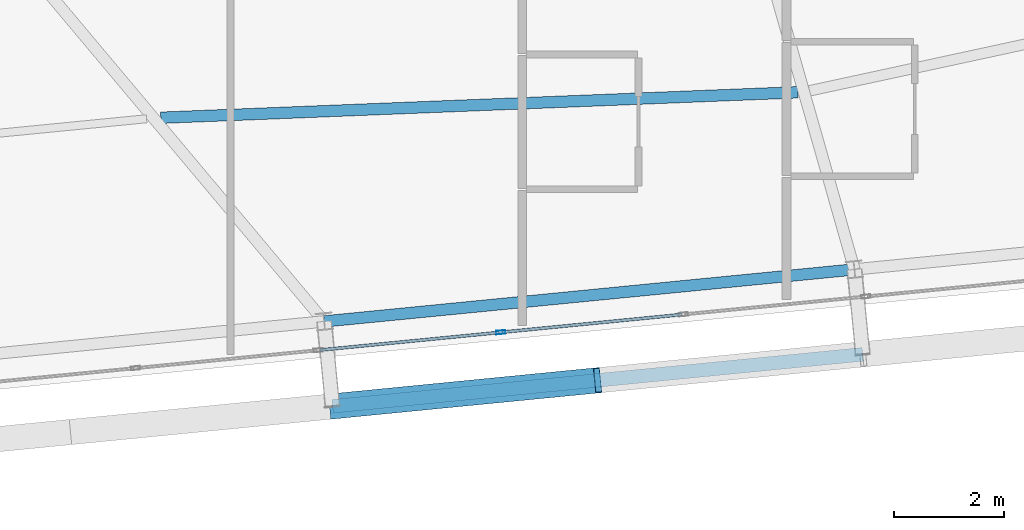
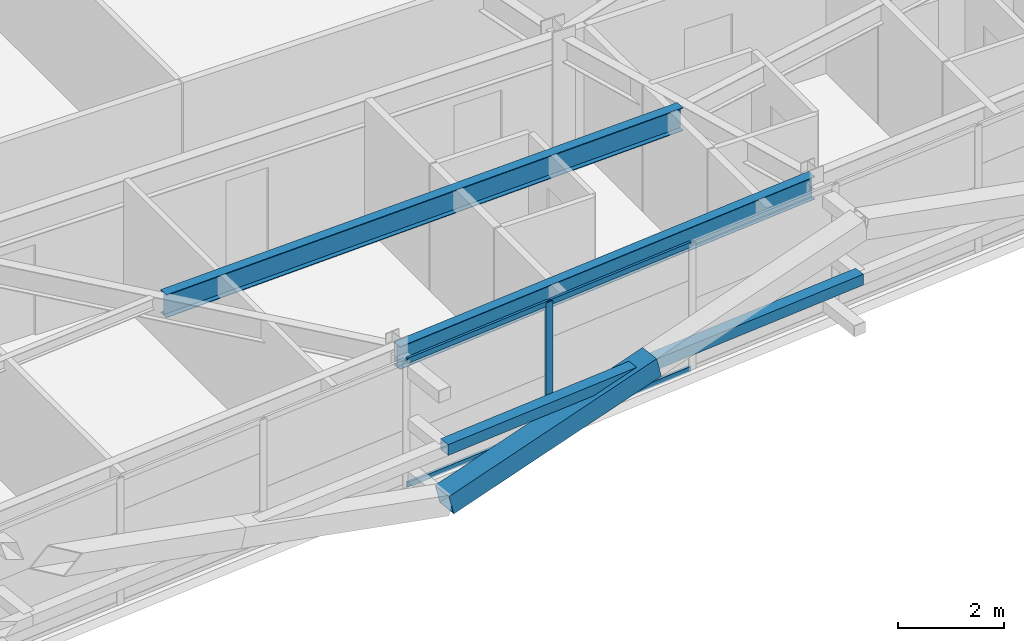
# One storey, part 11 of 53: 7 members, 2 beams, 1 element without a shape of its own.
"""IFC4 building model written with IfcOpenShell, lengths in metres."""

from ifc_helpers import new_model, si_unit, direction, frame, origin, origin_2d, place, context, subcontext, project, spatial, hollow_rectangle, i_section, extrude, source, transform, mapped, material, layer, layer_set, material_profile, profile_set, type_object, element, aggregate, save


model = new_model("IFC4")

# Units and contexts
model_context = context("Model", 3, precision=1e-05, world=origin(), true_north=direction((0.0, 1.0)))
body_context = subcontext(model_context, "Body", "Model", "MODEL_VIEW")
ifc_project = project(units=[si_unit("LENGTHUNIT", "METRE"), si_unit("AREAUNIT", "SQUARE_METRE"), si_unit("VOLUMEUNIT", "CUBIC_METRE"), si_unit("PLANEANGLEUNIT", "RADIAN"), si_unit("MASSUNIT", "GRAM", prefix="KILO")], contexts=[model_context])

# Site, building, storey
site_placement = place(None, origin())
site = spatial("IfcSite", under=ifc_project, at=site_placement, CompositionType="ELEMENT")
building_placement = place(site_placement, origin())
building = spatial("IfcBuilding", under=site, at=building_placement, Name="Taldren Reach Tower", CompositionType="ELEMENT")
storey_placement = place(building_placement, frame((0.0, 0.0, 68.25)))
storey = spatial("IfcBuildingStorey", under=building, at=storey_placement, Name="L20", CompositionType="ELEMENT", Elevation=68.25)

# Beams
ifc_material_1 = material(Name="Steel Gr 350 (350PLUS)", Category="steel")
ifc_material_profile_1 = material_profile(ifc_material_1, i_section(OverallWidth=0.208984375, OverallDepth=0.528076171875, WebThickness=0.009521484375, FlangeThickness=0.01318359375, at=origin_2d()), Name="530UB82.0")
ifc_profile_set_1 = profile_set([ifc_material_profile_1], Name="Steel Gr 350 (350PLUS)")
beam_type_1 = type_object("IfcBeamType", Name="SP-UB530B", PredefinedType="SPANDREL", material=ifc_profile_set_1)
shared_shape_1 = source(origin(), body_context, "Body", "SweptSolid", [
    extrude(i_section(OverallWidth=0.208984375, OverallDepth=0.528076171875, WebThickness=0.009521484375, FlangeThickness=0.01318359375, at=origin_2d()), origin(), (0.0, 0.0, 1.0), 9.679931640625),
])
beam_1_placement = place(storey_placement, frame((34.20166015625, 1.809326171875, 2.666015625), z_axis=(0.995227612658, 0.097580730699, 0.0), x_axis=(-0.097580730699, 0.995227612658, 0.0)))
element("IfcBeam", 1, at=beam_1_placement, inside=storey, type_object=beam_type_1, Name="Perimeter spandrel B2 S3-S4 L20", PredefinedType="SPANDREL", context=body_context, shape_type="MappedRepresentation", body=[
    mapped(shared_shape_1, transform((0.0, 0.0, 0.0), scale=1.0)),
])
ifc_material_profile_2 = material_profile(ifc_material_1, i_section(OverallWidth=0.208984375, OverallDepth=0.532958984375, WebThickness=0.01025390625, FlangeThickness=0.015625, at=origin_2d()), Name="530UB92.4")
ifc_profile_set_2 = profile_set([ifc_material_profile_2], Name="Steel Gr 350 (350PLUS)")
beam_type_2 = type_object("IfcBeamType", Name="BM-UB530A", PredefinedType="BEAM", material=ifc_profile_set_2)
shared_shape_2 = source(origin(), body_context, "Body", "SweptSolid", [
    extrude(i_section(OverallWidth=0.208984375, OverallDepth=0.532958984375, WebThickness=0.01025390625, FlangeThickness=0.015625, at=origin_2d()), origin(), (0.0, 0.0, 1.0), 11.586669921875),
])
beam_2_placement = place(storey_placement, frame((31.23291015625, 5.510009765625, 2.66357421875), z_axis=(0.999202506312, 0.039929329821, 0.0), x_axis=(-0.039929329821, 0.999202506312, 0.0)))
element("IfcBeam", 2, at=beam_2_placement, inside=storey, type_object=beam_type_2, Name="Secondary floor beam B2 J3 L20", PredefinedType="BEAM", context=body_context, shape_type="MappedRepresentation", body=[
    mapped(shared_shape_2, transform((0.0, 0.0, 0.0), scale=1.0)),
])

# Members
ifc_material_2 = material(Name="Steel Gr 450 (C450L0)", Category="steel")
ifc_material_profile_3 = material_profile(ifc_material_2, hollow_rectangle(XDim=0.4599609375, YDim=0.4599609375, WallThickness=0.01611328125, at=origin_2d()), Name="460x460x16.0SHS")
ifc_profile_set_3 = profile_set([ifc_material_profile_3], Name="Steel Gr 450 (C450L0)")
member_type_1 = type_object("IfcMemberType", Name="MB-EXO457", PredefinedType="BRACE", material=ifc_profile_set_3)
shared_shape_3 = source(origin(), body_context, "Body", "SweptSolid", [
    extrude(hollow_rectangle(XDim=0.4599609375, YDim=0.4599609375, WallThickness=0.01611328125, at=origin_2d()), origin(), (0.0, 0.0, 1.0), 4.990234375),
])
member_1_placement = place(storey_placement, frame((34.35302734375, 0.2666015625, 0.219970703125), z_axis=(0.965271056716, 0.094667992638, 0.243494883389), x_axis=(-0.097605711627, 0.995225162995, 0.0)))
element("IfcMember", 3, at=member_1_placement, inside=storey, type_object=member_type_1, Name="Exoskeleton Diagrid Brace B2-S3 L20", PredefinedType="BRACE", context=body_context, shape_type="MappedRepresentation", body=[
    mapped(shared_shape_3, transform((0.0, 0.0, 0.0), scale=1.0)),
])
ifc_material_3 = material(Name="Steel Gr 350 (C350L0)", Category="steel")
ifc_material_profile_4 = material_profile(ifc_material_3, hollow_rectangle(XDim=0.25, YDim=0.25, WallThickness=0.010009765625, at=origin_2d()), Name="250x250x10.0SHS")
ifc_profile_set_4 = profile_set([ifc_material_profile_4], Name="Steel Gr 350 (C350L0)")
member_type_2 = type_object("IfcMemberType", Name="MB-POST250", PredefinedType="POST", material=ifc_profile_set_4)
shared_shape_4 = source(origin(), body_context, "Body", "SweptSolid", [
    extrude(hollow_rectangle(XDim=0.25, YDim=0.25, WallThickness=0.010009765625, at=origin_2d()), origin(), (0.0, 0.0, 1.0), 9.679931640625),
])
member_2_placement = place(storey_placement, frame((34.35302734375, 0.2666015625, 1.43505859375), z_axis=(0.995225162995, 0.097605711627, 0.0), x_axis=(-0.097605711627, 0.995225162995, 0.0)))
element("IfcMember", 4, at=member_2_placement, inside=storey, type_object=member_type_2, Name="Exoskeleton mid-height ring chord B2-S3 L20", PredefinedType="POST", context=body_context, shape_type="MappedRepresentation", body=[
    mapped(shared_shape_4, transform((0.0, 0.0, 0.0), scale=1.0)),
])

# Curtain wall, members
ifc_material_4 = material(Name="Aluminium and Low-E Glass Unitised System", Category="aluminium")
ifc_layer = layer(ifc_material_4, 0.159912109375)
ifc_layer_set = layer_set([ifc_layer], Name="Aluminium and Low-E Glass Unitised System")
curtain_wall_type = type_object("IfcCurtainWallType", Name="CW-SYS-3", PredefinedType="NOTDEFINED", material=ifc_layer_set)
curtain_wall_placement = place(storey_placement, origin())
curtain_wall = element("IfcCurtainWall", 5, at=curtain_wall_placement, inside=storey, type_object=curtain_wall_type, Name="Unitised curtain wall CW-L20-S", PredefinedType="NOTDEFINED")
ifc_material_5 = material(Name="Anodised Aluminium 6063-T6", Category="aluminium")
ifc_material_profile_5 = material_profile(ifc_material_5, hollow_rectangle(XDim=0.06494140625, YDim=0.1650390625, WallThickness=0.00390625, at=origin_2d()), Name="ALU-165x65x4RHS")
ifc_profile_set_5 = profile_set([ifc_material_profile_5], Name="Anodised Aluminium 6063-T6")
member_type_3 = type_object("IfcMemberType", Name="CW-MUL-165", PredefinedType="MULLION", material=ifc_profile_set_5)
shared_shape_5 = source(origin(), body_context, "Body", "SweptSolid", [
    extrude(hollow_rectangle(XDim=0.06494140625, YDim=0.1650390625, WallThickness=0.00390625, at=origin_2d()), origin(), (0.0, 0.0, 1.0), 2.929931640625),
])
member_3_placement = place(storey_placement, frame((37.40966796875, 1.611328125, 0.0), z_axis=(0.0, 0.0, 1.0), x_axis=(-0.097582999046, 0.995227390247, 0.0)))
member_3 = element("IfcMember", 6, at=member_3_placement, type_object=member_type_3, Name="CW-3 mullion 8", PredefinedType="MULLION", context=body_context, shape_type="MappedRepresentation", body=[
    mapped(shared_shape_5, transform((0.0, 0.0, 0.0), scale=1.0)),
])
ifc_material_profile_6 = material_profile(ifc_material_5, hollow_rectangle(XDim=0.054931640625, YDim=0.1201171875, WallThickness=0.0029296875, at=origin_2d()), Name="ALU-120x55x3RHS")
ifc_profile_set_6 = profile_set([ifc_material_profile_6], Name="Anodised Aluminium 6063-T6")
member_type_4 = type_object("IfcMemberType", Name="CW-TRN-135", PredefinedType="USERDEFINED", material=ifc_profile_set_6)
shared_shape_6 = source(origin(), body_context, "Body", "SweptSolid", [
    extrude(hollow_rectangle(XDim=0.054931640625, YDim=0.1201171875, WallThickness=0.0029296875, at=origin_2d()), origin(), (0.0, 0.0, 1.0), 3.268310546875),
])
member_4_placement = place(storey_placement, frame((34.124755859375, 1.289306640625, 0.027587890625), z_axis=(0.99522980512, 0.097558367146, 0.0), x_axis=(-0.097558367146, 0.99522980512, 0.0)))
member_4 = element("IfcMember", 7, at=member_4_placement, type_object=member_type_4, Name="CW-3 transom 7.1", ObjectType="TRANSOM", PredefinedType="USERDEFINED", context=body_context, shape_type="MappedRepresentation", body=[
    mapped(shared_shape_6, transform((0.0, 0.0, 0.0), scale=1.0)),
])
member_5_placement = place(storey_placement, frame((34.124755859375, 1.289306640625, 2.902587890625), z_axis=(0.99522980512, 0.097558367146, 0.0), x_axis=(-0.097558367146, 0.99522980512, 0.0)))
member_5 = element("IfcMember", 8, at=member_5_placement, type_object=member_type_4, Name="CW-3 transom 7.2", ObjectType="TRANSOM", PredefinedType="USERDEFINED", context=body_context, shape_type="MappedRepresentation", body=[
    mapped(shared_shape_6, transform((0.0, 0.0, 0.0), scale=1.0)),
])
member_6_placement = place(storey_placement, frame((37.442138671875, 1.614501953125, 0.027587890625), z_axis=(0.995222549564, 0.097632355496, 0.0), x_axis=(-0.097632355496, 0.995222549564, 0.0)))
member_6 = element("IfcMember", 9, at=member_6_placement, type_object=member_type_4, Name="CW-3 transom 8.1", ObjectType="TRANSOM", PredefinedType="USERDEFINED", context=body_context, shape_type="MappedRepresentation", body=[
    mapped(shared_shape_6, transform((0.0, 0.0, 0.0), scale=1.0)),
])
member_7_placement = place(storey_placement, frame((37.442138671875, 1.614501953125, 2.902587890625), z_axis=(0.995222549564, 0.097632355496, 0.0), x_axis=(-0.097632355496, 0.995222549564, 0.0)))
member_7 = element("IfcMember", 10, at=member_7_placement, type_object=member_type_4, Name="CW-3 transom 8.2", ObjectType="TRANSOM", PredefinedType="USERDEFINED", context=body_context, shape_type="MappedRepresentation", body=[
    mapped(shared_shape_6, transform((0.0, 0.0, 0.0), scale=1.0)),
])
aggregate(curtain_wall, [member_3, member_4, member_5, member_6, member_7])

save(model, "model.ifc")
